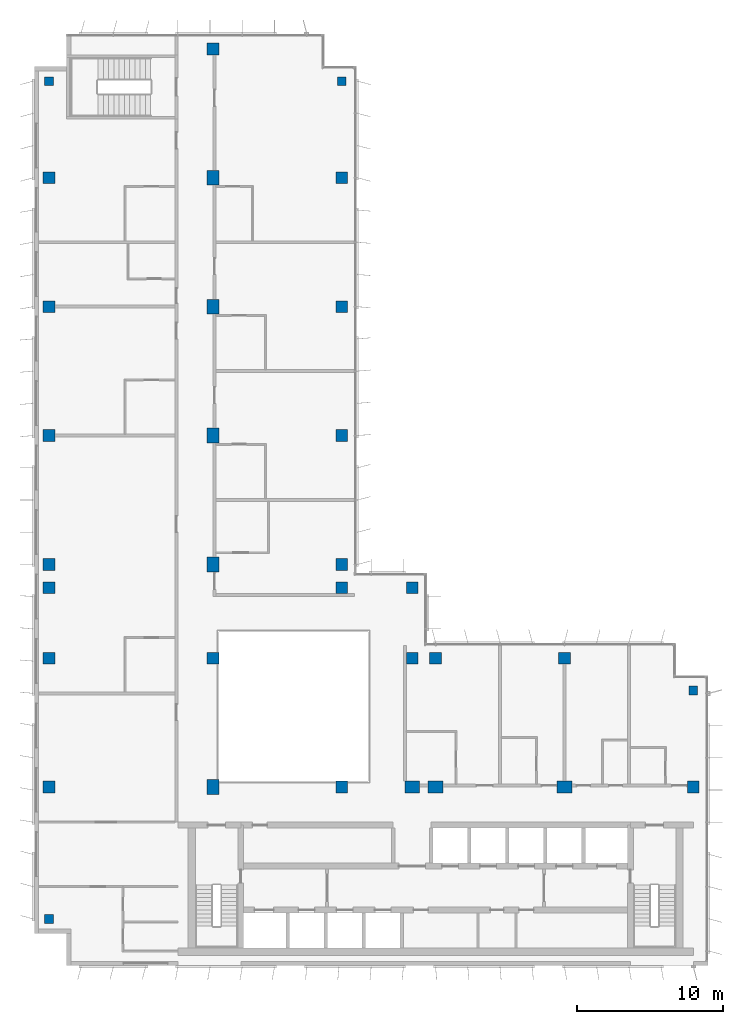
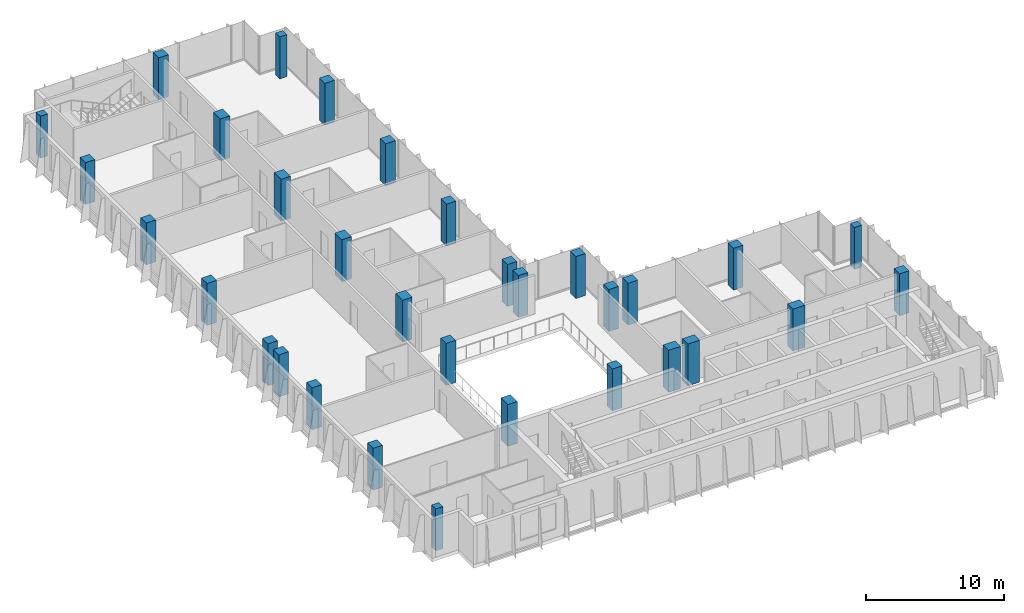
# One storey, part 1 of 15: 32 columns.
"""IFC4 building model written with IfcOpenShell, lengths in metres."""

from ifc_helpers import new_model, si_unit, direction, frame, origin, origin_2d, place, context, subcontext, project, spatial, rectangle, extrude, material, material_profile, profile_set, type_object, element, save


model = new_model("IFC4")

# Units and contexts
model_context = context("Model", 3, precision=1e-05, world=origin(), true_north=direction((0.0, 1.0)))
body_context = subcontext(model_context, "Body", "Model", "MODEL_VIEW")
ifc_project = project(units=[si_unit("LENGTHUNIT", "METRE"), si_unit("AREAUNIT", "SQUARE_METRE"), si_unit("VOLUMEUNIT", "CUBIC_METRE"), si_unit("PLANEANGLEUNIT", "RADIAN"), si_unit("MASSUNIT", "GRAM", prefix="KILO")], contexts=[model_context])

# Site, building, storey
site_placement = place(None, origin())
site = spatial("IfcSite", under=ifc_project, at=site_placement, CompositionType="ELEMENT")
building_placement = place(site_placement, origin())
building = spatial("IfcBuilding", under=site, at=building_placement, Name="Kemantara Hotel Tower", CompositionType="ELEMENT")
storey_placement = place(building_placement, frame((0.0, 0.0, 294.39990234375)))
storey = spatial("IfcBuildingStorey", under=building, at=storey_placement, Name="L74", CompositionType="ELEMENT", Elevation=294.39990234375)

# Columns
ifc_material = material(Name="Concrete fc 50 MPa", Category="concrete")
ifc_material_profile_1 = material_profile(ifc_material, rectangle(XDim=1.0, YDim=0.800048828125, at=origin_2d()), Name="RC 1000X800")
ifc_profile_set_1 = profile_set([ifc_material_profile_1], Name="Concrete fc 50 MPa")
column_type_1 = type_object("IfcColumnType", Name="RC COLUMN 1000X800 FC50", PredefinedType="COLUMN", material=ifc_profile_set_1)
for number, where, z_axis, x_axis, name in (
    (1, (12.199951171875, 12.199951171875, 0.0), (0.0, 0.0, 1.0), (0.0, 1.0, 0.0), "COLUMN 2A/BA L74"),
    (2, (12.199951171875, 27.39990234375, 0.0), (0.0, 0.0, 1.0), (0.0, 1.0, 0.0), "COLUMN 2A/D L74"),
    (3, (12.199951171875, 36.199951171875, 0.0), (0.0, 0.0, 1.0), (0.0, 1.0, 0.0), "COLUMN 2A/E L74"),
    (4, (12.199951171875, 45.0, 0.0), (0.0, 0.0, 1.0), (0.0, 1.0, 0.0), "COLUMN 2A/F L74"),
    (5, (12.199951171875, 53.800048828125, 0.0), (0.0, 0.0, 1.0), (0.0, 1.0, 0.0), "COLUMN 2A/G L74"),
    (6, (25.800048828125, 12.199951171875, 0.0), (0.0, 0.0, 1.0), (1.0, 0.0, 0.0), "COLUMN 3A/BA L74"),
    (7, (27.39990234375, 12.199951171875, 0.0), (0.0, 0.0, 1.0), (1.0, 0.0, 0.0), "COLUMN 4/BA L74"),
    (8, (36.199951171875, 12.199951171875, 0.0), (0.0, 0.0, 1.0), (1.0, 0.0, 0.0), "COLUMN 5/BA L74"),
):
    element("IfcColumn", number, at=place(storey_placement, frame(where, z_axis=z_axis, x_axis=x_axis)), inside=storey, type_object=column_type_1, Name=name, PredefinedType="COLUMN", context=body_context, shape_type="SweptSolid", body=[
        extrude(rectangle(XDim=1.0, YDim=0.800048828125, at=origin_2d()), origin(), (0.0, 0.0, 1.0), 3.7001953125),
    ])
ifc_material_profile_2 = material_profile(ifc_material, rectangle(XDim=0.60009765625, YDim=0.60009765625, at=origin_2d()), Name="RC 600X600")
ifc_profile_set_2 = profile_set([ifc_material_profile_2], Name="Concrete fc 50 MPa")
column_type_2 = type_object("IfcColumnType", Name="RC COLUMN 600X600 FC50", PredefinedType="COLUMN", material=ifc_profile_set_2)
for number, where, z_axis, x_axis, name in (
    (9, (1.0, 3.199951171875, 0.0), (0.0, 0.0, 1.0), (1.0, 0.0, 0.0), "COLUMN notch corner L74"),
    (10, (1.0, 60.39990234375, 0.0), (0.0, 0.0, 1.0), (1.0, 0.0, 0.0), "COLUMN notch corner L74"),
    (11, (21.0, 60.39990234375, 0.0), (0.0, 0.0, 1.0), (1.0, 0.0, 0.0), "COLUMN notch corner L74"),
    (12, (45.0, 18.800048828125, 0.0), (0.0, 0.0, 1.0), (1.0, 0.0, 0.0), "COLUMN notch corner L74"),
):
    element("IfcColumn", number, at=place(storey_placement, frame(where, z_axis=z_axis, x_axis=x_axis)), inside=storey, type_object=column_type_2, Name=name, PredefinedType="COLUMN", context=body_context, shape_type="SweptSolid", body=[
        extrude(rectangle(XDim=0.60009765625, YDim=0.60009765625, at=origin_2d()), origin(), (0.0, 0.0, 1.0), 3.7001953125),
    ])
ifc_material_profile_3 = material_profile(ifc_material, rectangle(XDim=0.800048828125, YDim=0.800048828125, at=origin_2d()), Name="RC 800X800")
ifc_profile_set_3 = profile_set([ifc_material_profile_3], Name="Concrete fc 50 MPa")
column_type_3 = type_object("IfcColumnType", Name="RC COLUMN 800X800 FC50", PredefinedType="COLUMN", material=ifc_profile_set_3)
for number, where, z_axis, x_axis, name in (
    (13, (1.0, 12.199951171875, 0.0), (0.0, 0.0, 1.0), (1.0, 0.0, 0.0), "COLUMN 1/BA L74"),
    (14, (1.0, 21.0, 0.0), (0.0, 0.0, 1.0), (1.0, 0.0, 0.0), "COLUMN 1/C L74"),
    (15, (1.0, 25.800048828125, 0.0), (0.0, 0.0, 1.0), (1.0, 0.0, 0.0), "COLUMN 1/CA L74"),
    (16, (1.0, 27.39990234375, 0.0), (0.0, 0.0, 1.0), (1.0, 0.0, 0.0), "COLUMN 1/D L74"),
    (17, (1.0, 36.199951171875, 0.0), (0.0, 0.0, 1.0), (1.0, 0.0, 0.0), "COLUMN 1/E L74"),
    (18, (1.0, 45.0, 0.0), (0.0, 0.0, 1.0), (1.0, 0.0, 0.0), "COLUMN 1/F L74"),
    (19, (1.0, 53.800048828125, 0.0), (0.0, 0.0, 1.0), (1.0, 0.0, 0.0), "COLUMN 1/G L74"),
    (20, (12.199951171875, 21.0, 0.0), (0.0, 0.0, 1.0), (1.0, 0.0, 0.0), "COLUMN 2A/C L74"),
    (21, (12.199951171875, 62.60009765625, 0.0), (0.0, 0.0, 1.0), (1.0, 0.0, 0.0), "COLUMN 2A/H L74"),
    (22, (21.0, 12.199951171875, 0.0), (0.0, 0.0, 1.0), (1.0, 0.0, 0.0), "COLUMN 3/BA L74"),
    (23, (21.0, 25.800048828125, 0.0), (0.0, 0.0, 1.0), (1.0, 0.0, 0.0), "COLUMN 3/CA L74"),
    (24, (21.0, 27.39990234375, 0.0), (0.0, 0.0, 1.0), (1.0, 0.0, 0.0), "COLUMN 3/D L74"),
    (25, (21.0, 36.199951171875, 0.0), (0.0, 0.0, 1.0), (1.0, 0.0, 0.0), "COLUMN 3/E L74"),
    (26, (21.0, 45.0, 0.0), (0.0, 0.0, 1.0), (1.0, 0.0, 0.0), "COLUMN 3/F L74"),
    (27, (21.0, 53.800048828125, 0.0), (0.0, 0.0, 1.0), (1.0, 0.0, 0.0), "COLUMN 3/G L74"),
    (28, (25.800048828125, 21.0, 0.0), (0.0, 0.0, 1.0), (1.0, 0.0, 0.0), "COLUMN 3A/C L74"),
    (29, (25.800048828125, 25.800048828125, 0.0), (0.0, 0.0, 1.0), (1.0, 0.0, 0.0), "COLUMN 3A/CA L74"),
    (30, (27.39990234375, 21.0, 0.0), (0.0, 0.0, 1.0), (1.0, 0.0, 0.0), "COLUMN 4/C L74"),
    (31, (36.199951171875, 21.0, 0.0), (0.0, 0.0, 1.0), (1.0, 0.0, 0.0), "COLUMN 5/C L74"),
    (32, (45.0, 12.199951171875, 0.0), (0.0, 0.0, 1.0), (1.0, 0.0, 0.0), "COLUMN 6/BA L74"),
):
    element("IfcColumn", number, at=place(storey_placement, frame(where, z_axis=z_axis, x_axis=x_axis)), inside=storey, type_object=column_type_3, Name=name, PredefinedType="COLUMN", context=body_context, shape_type="SweptSolid", body=[
        extrude(rectangle(XDim=0.800048828125, YDim=0.800048828125, at=origin_2d()), origin(), (0.0, 0.0, 1.0), 3.7001953125),
    ])

save(model, "model.ifc")
